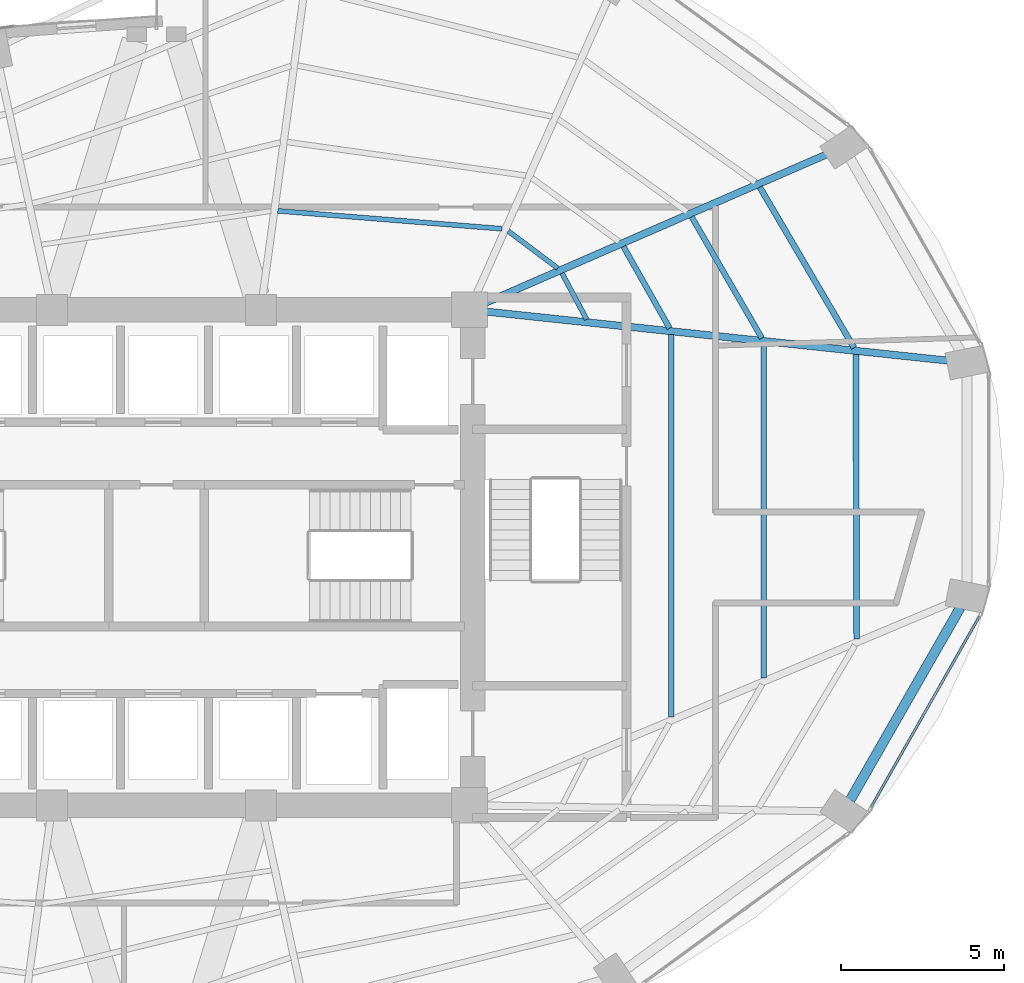
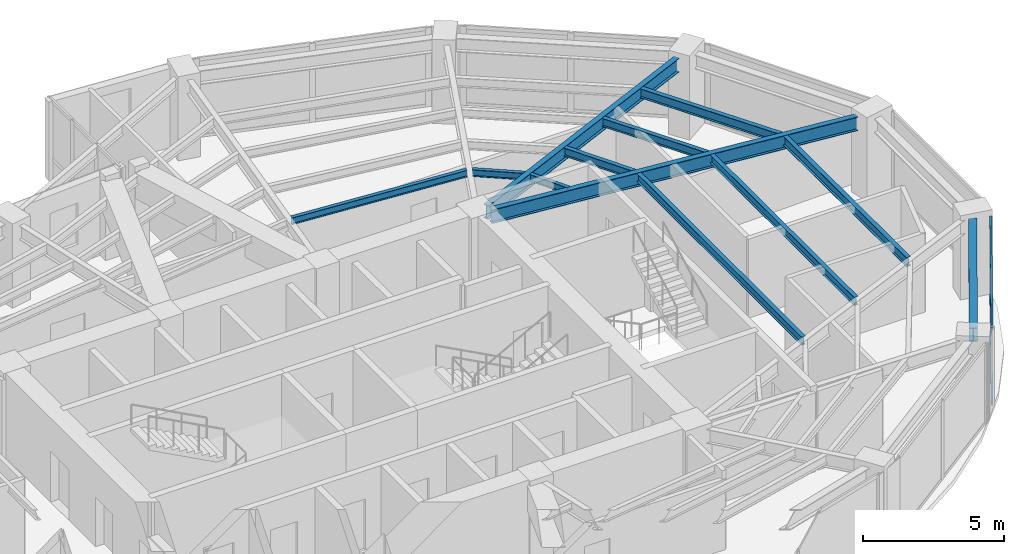
# One storey, part 12 of 24: 12 beams, 2 members, 1 element without a shape of its own.
"""IFC4 building model written with IfcOpenShell, lengths in metres."""

from ifc_helpers import new_model, si_unit, direction, frame, origin, origin_2d, place, context, subcontext, project, spatial, hollow_rectangle, i_section, extrude, material, layer, layer_set, material_profile, profile_set, type_object, element, aggregate, save


model = new_model("IFC4")

# Units and contexts
model_context = context("Model", 3, precision=1e-05, world=origin(), true_north=direction((0.0, 1.0)))
body_context = subcontext(model_context, "Body", "Model", "MODEL_VIEW")
ifc_project = project(units=[si_unit("LENGTHUNIT", "METRE"), si_unit("AREAUNIT", "SQUARE_METRE"), si_unit("VOLUMEUNIT", "CUBIC_METRE"), si_unit("PLANEANGLEUNIT", "RADIAN"), si_unit("MASSUNIT", "GRAM", prefix="KILO")], contexts=[model_context])

# Site, building, storey
site_placement = place(None, origin())
site = spatial("IfcSite", under=ifc_project, at=site_placement, CompositionType="ELEMENT")
building_placement = place(site_placement, origin())
building = spatial("IfcBuilding", under=site, at=building_placement, Name="Lazwardi Medical Tower", CompositionType="ELEMENT")
storey_placement = place(building_placement, frame((0.0, 0.0, 96.3359375)))
storey = spatial("IfcBuildingStorey", under=building, at=storey_placement, Name="L24", CompositionType="ELEMENT", Elevation=96.3359375)

# Beams
ifc_material_1 = material(Name="Steel S355", Category="steel")
ifc_material_profile_1 = material_profile(ifc_material_1, i_section(OverallWidth=0.300048828125, OverallDepth=0.60009765625, WebThickness=0.015380859375, FlangeThickness=0.030029296875, at=origin_2d()), Name="HEB 600")
ifc_profile_set_1 = profile_set([ifc_material_profile_1], Name="Steel S355")
beam_type_1 = type_object("IfcBeamType", Name="BM-RB-Z2", PredefinedType="BEAM", material=ifc_profile_set_1)
beam_1_placement = place(storey_placement, frame((57.281494140625, 20.561279296875, 3.128173828125), z_axis=(0.496653025517, 0.867949176072, 0.0), x_axis=(-0.867949176072, 0.496653025517, 0.0)))
element("IfcBeam", 1, at=beam_1_placement, inside=storey, type_object=beam_type_1, Name="Ring beam RB-03 B03 L24", PredefinedType="BEAM", context=body_context, shape_type="SweptSolid", body=[
    extrude(i_section(OverallWidth=0.300048828125, OverallDepth=0.60009765625, WebThickness=0.015380859375, FlangeThickness=0.030029296875, at=origin_2d()), origin(), (0.0, 0.0, 1.0), 6.80078125),
])
ifc_material_profile_2 = material_profile(ifc_material_1, i_section(OverallWidth=0.219970703125, OverallDepth=0.60009765625, WebThickness=0.011962890625, FlangeThickness=0.01904296875, at=origin_2d()), Name="IPE 600")
ifc_profile_set_2 = profile_set([ifc_material_profile_2], Name="Steel S355")
beam_type_2 = type_object("IfcBeamType", Name="BM-RG-W1", PredefinedType="BEAM", material=ifc_profile_set_2)
beam_2_placement = place(storey_placement, frame((60.2861328125, 34.041015625, 3.128173828125), z_axis=(-0.994413340753, 0.10555618282, 0.0), x_axis=(-0.10555618282, -0.994413340753, 0.0)))
element("IfcBeam", 2, at=beam_2_placement, inside=storey, type_object=beam_type_2, Name="Radial girder RG-02 R05 L24", PredefinedType="BEAM", context=body_context, shape_type="SweptSolid", body=[
    extrude(i_section(OverallWidth=0.219970703125, OverallDepth=0.60009765625, WebThickness=0.011962890625, FlangeThickness=0.01904296875, at=origin_2d()), origin(), (0.0, 0.0, 1.0), 14.233642578125),
])
beam_3_placement = place(storey_placement, frame((56.5458984375, 40.36328125, 3.128173828125), z_axis=(-0.916941336121, -0.399022037127, 0.0), x_axis=(0.399022037127, -0.916941336121, 0.0)))
element("IfcBeam", 3, at=beam_3_placement, inside=storey, type_object=beam_type_2, Name="Radial girder RG-02 R06 L24", PredefinedType="BEAM", context=body_context, shape_type="SweptSolid", body=[
    extrude(i_section(OverallWidth=0.219970703125, OverallDepth=0.60009765625, WebThickness=0.011962890625, FlangeThickness=0.01904296875, at=origin_2d()), origin(), (0.0, 0.0, 1.0), 11.40234375),
])
ifc_material_profile_3 = material_profile(ifc_material_1, i_section(OverallWidth=0.179931640625, OverallDepth=0.39990234375, WebThickness=0.008544921875, FlangeThickness=0.013427734375, at=origin_2d()), Name="IPE 400")
ifc_profile_set_3 = profile_set([ifc_material_profile_3], Name="Steel S355")
beam_type_3 = type_object("IfcBeamType", Name="BM-SJ-01", PredefinedType="JOIST", material=ifc_profile_set_3)
beam_4_placement = place(storey_placement, frame((57.48095703125, 25.502685546875, 3.22802734375), z_axis=(-0.002907126978, 0.999995774297, 0.0), x_axis=(-0.999995774297, -0.002907126978, 0.0)))
element("IfcBeam", 4, at=beam_4_placement, inside=storey, type_object=beam_type_3, Name="Secondary joist SJ-01 R1 B04 L24", PredefinedType="JOIST", context=body_context, shape_type="SweptSolid", body=[
    extrude(i_section(OverallWidth=0.179931640625, OverallDepth=0.39990234375, WebThickness=0.008544921875, FlangeThickness=0.013427734375, at=origin_2d()), origin(), (0.0, 0.0, 1.0), 8.73388671875),
])
beam_5_placement = place(storey_placement, frame((57.402099609375, 34.43212890625, 3.22802734375), z_axis=(-0.506195045201, 0.862419025888, 0.0), x_axis=(-0.862419025888, -0.506195045201, 0.0)))
element("IfcBeam", 5, at=beam_5_placement, inside=storey, type_object=beam_type_3, Name="Secondary joist SJ-01 R1 B05 L24", PredefinedType="JOIST", context=body_context, shape_type="SweptSolid", body=[
    extrude(i_section(OverallWidth=0.179931640625, OverallDepth=0.39990234375, WebThickness=0.008544921875, FlangeThickness=0.013427734375, at=origin_2d()), origin(), (0.0, 0.0, 1.0), 5.71728515625),
])
ifc_material_profile_4 = material_profile(ifc_material_1, i_section(OverallWidth=0.169921875, OverallDepth=0.360107421875, WebThickness=0.008056640625, FlangeThickness=0.0126953125, at=origin_2d()), Name="IPE 360")
ifc_profile_set_4 = profile_set([ifc_material_profile_4], Name="Steel S355")
beam_type_4 = type_object("IfcBeamType", Name="BM-SJ-02", PredefinedType="JOIST", material=ifc_profile_set_4)
beam_6_placement = place(storey_placement, frame((54.634033203125, 24.30517578125, 3.248046875), z_axis=(-0.000930565095, 0.999999567024, 0.0), x_axis=(-0.999999567024, -0.000930565095, 0.0)))
element("IfcBeam", 6, at=beam_6_placement, inside=storey, type_object=beam_type_4, Name="Secondary joist SJ-02 R2 B04 L24", PredefinedType="JOIST", context=body_context, shape_type="SweptSolid", body=[
    extrude(i_section(OverallWidth=0.169921875, OverallDepth=0.360107421875, WebThickness=0.008056640625, FlangeThickness=0.0126953125, at=origin_2d()), origin(), (0.0, 0.0, 1.0), 10.23193359375),
])
beam_7_placement = place(storey_placement, frame((54.57177734375, 34.73291015625, 3.248046875), z_axis=(-0.501365325212, 0.865235696602, 0.0), x_axis=(-0.865235696602, -0.501365325212, 0.0)))
element("IfcBeam", 7, at=beam_7_placement, inside=storey, type_object=beam_type_4, Name="Secondary joist SJ-02 R2 B05 L24", PredefinedType="JOIST", context=body_context, shape_type="SweptSolid", body=[
    extrude(i_section(OverallWidth=0.169921875, OverallDepth=0.360107421875, WebThickness=0.008056640625, FlangeThickness=0.0126953125, at=origin_2d()), origin(), (0.0, 0.0, 1.0), 4.298828125),
])
beam_8_placement = place(storey_placement, frame((51.787109375, 23.107421875, 3.248046875), z_axis=(0.000561961365, 0.9999998421, 0.0), x_axis=(-0.9999998421, 0.000561961365, 0.0)))
element("IfcBeam", 8, at=beam_8_placement, inside=storey, type_object=beam_type_4, Name="Secondary joist SJ-02 R3 B04 L24", PredefinedType="JOIST", context=body_context, shape_type="SweptSolid", body=[
    extrude(i_section(OverallWidth=0.169921875, OverallDepth=0.360107421875, WebThickness=0.008056640625, FlangeThickness=0.0126953125, at=origin_2d()), origin(), (0.0, 0.0, 1.0), 11.72998046875),
])
beam_9_placement = place(storey_placement, frame((51.741943359375, 35.033935546875, 3.248046875), z_axis=(-0.492026539517, 0.870580199873, 0.0), x_axis=(-0.870580199873, -0.492026539517, 0.0)))
element("IfcBeam", 9, at=beam_9_placement, inside=storey, type_object=beam_type_4, Name="Secondary joist SJ-02 R3 B05 L24", PredefinedType="JOIST", context=body_context, shape_type="SweptSolid", body=[
    extrude(i_section(OverallWidth=0.169921875, OverallDepth=0.360107421875, WebThickness=0.008056640625, FlangeThickness=0.0126953125, at=origin_2d()), origin(), (0.0, 0.0, 1.0), 2.880859375),
])
ifc_material_profile_5 = material_profile(ifc_material_1, i_section(OverallWidth=0.14990234375, OverallDepth=0.300048828125, WebThickness=0.007080078125, FlangeThickness=0.0107421875, at=origin_2d()), Name="IPE 300")
ifc_profile_set_5 = profile_set([ifc_material_profile_5], Name="Steel S355")
beam_type_5 = type_object("IfcBeamType", Name="BM-SJ-03", PredefinedType="JOIST", material=ifc_profile_set_5)
beam_10_placement = place(storey_placement, frame((49.1962890625, 35.3056640625, 3.278076171875), z_axis=(-0.471022344925, 0.882121278839, 0.0), x_axis=(-0.882121278839, -0.471022344925, 0.0)))
element("IfcBeam", 10, at=beam_10_placement, inside=storey, type_object=beam_type_5, Name="Secondary joist SJ-03 R4 B05 L24", PredefinedType="JOIST", context=body_context, shape_type="SweptSolid", body=[
    extrude(i_section(OverallWidth=0.14990234375, OverallDepth=0.300048828125, WebThickness=0.007080078125, FlangeThickness=0.0107421875, at=origin_2d()), origin(), (0.0, 0.0, 1.0), 1.605224609375),
])
beam_11_placement = place(storey_placement, frame((48.306640625, 36.87744140625, 3.278076171875), z_axis=(-0.800447687995, 0.599402618265, 0.0), x_axis=(-0.599402618265, -0.800447687995, 0.0)))
element("IfcBeam", 11, at=beam_11_placement, inside=storey, type_object=beam_type_5, Name="Secondary joist SJ-03 R4 B06 L24", PredefinedType="JOIST", context=body_context, shape_type="SweptSolid", body=[
    extrude(i_section(OverallWidth=0.14990234375, OverallDepth=0.300048828125, WebThickness=0.007080078125, FlangeThickness=0.0107421875, at=origin_2d()), origin(), (0.0, 0.0, 1.0), 1.896728515625),
])
beam_12_placement = place(storey_placement, frame((46.599609375, 38.085693359375, 3.278076171875), z_axis=(-0.996816178299, 0.079733974445, 0.0), x_axis=(-0.079733974445, -0.996816178299, 0.0)))
element("IfcBeam", 12, at=beam_12_placement, inside=storey, type_object=beam_type_5, Name="Secondary joist SJ-03 R4 B07 L24", PredefinedType="JOIST", context=body_context, shape_type="SweptSolid", body=[
    extrude(i_section(OverallWidth=0.14990234375, OverallDepth=0.300048828125, WebThickness=0.007080078125, FlangeThickness=0.0107421875, at=origin_2d()), origin(), (0.0, 0.0, 1.0), 6.901611328125),
])

# Curtain wall, members
ifc_material_2 = material(Name="Anodised bronze aluminium and solar control glazing", Category="aluminium")
ifc_layer = layer(ifc_material_2, 0.195068359375)
ifc_layer_set = layer_set([ifc_layer], Name="Anodised bronze aluminium and solar control glazing")
curtain_wall_type = type_object("IfcCurtainWallType", Name="CW-SYS-03", PredefinedType="NOTDEFINED", material=ifc_layer_set)
curtain_wall_placement = place(storey_placement, origin())
curtain_wall = element("IfcCurtainWall", 13, at=curtain_wall_placement, inside=storey, type_object=curtain_wall_type, Name="L24 Unitised bronze curtain wall CW-03", PredefinedType="NOTDEFINED")
ifc_material_3 = material(Name="Anodised bronze aluminium", Category="aluminium")
ifc_material_profile_6 = material_profile(ifc_material_3, hollow_rectangle(XDim=0.074951171875, YDim=0.159912109375, WallThickness=0.00390625, at=origin_2d()), Name="ALU-TRANSOM 160x75x4")
ifc_profile_set_6 = profile_set([ifc_material_profile_6], Name="Anodised bronze aluminium")
member_type = type_object("IfcMemberType", Name="CW-TRN-01", PredefinedType="USERDEFINED", material=ifc_profile_set_6)
member_1_placement = place(storey_placement, frame((57.925537109375, 20.3466796875, 0.03759765625), z_axis=(0.493614427365, 0.869680859337, 0.0), x_axis=(-0.869680859337, 0.493614427365, 0.0)))
member_1 = element("IfcMember", 14, at=member_1_placement, type_object=member_type, Name="CW-03 transom 1.1", ObjectType="TRANSOM", PredefinedType="USERDEFINED", context=body_context, shape_type="SweptSolid", body=[
    extrude(hollow_rectangle(XDim=0.074951171875, YDim=0.159912109375, WallThickness=0.00390625, at=origin_2d()), origin(), (0.0, 0.0, 1.0), 6.72314453125),
])
member_2_placement = place(storey_placement, frame((57.925537109375, 20.3466796875, 3.390625), z_axis=(0.493614427365, 0.869680859337, 0.0), x_axis=(-0.869680859337, 0.493614427365, 0.0)))
member_2 = element("IfcMember", 15, at=member_2_placement, type_object=member_type, Name="CW-03 transom 1.2", ObjectType="TRANSOM", PredefinedType="USERDEFINED", context=body_context, shape_type="SweptSolid", body=[
    extrude(hollow_rectangle(XDim=0.074951171875, YDim=0.159912109375, WallThickness=0.00390625, at=origin_2d()), origin(), (0.0, 0.0, 1.0), 6.72314453125),
])
aggregate(curtain_wall, [member_1, member_2])

save(model, "model.ifc")
